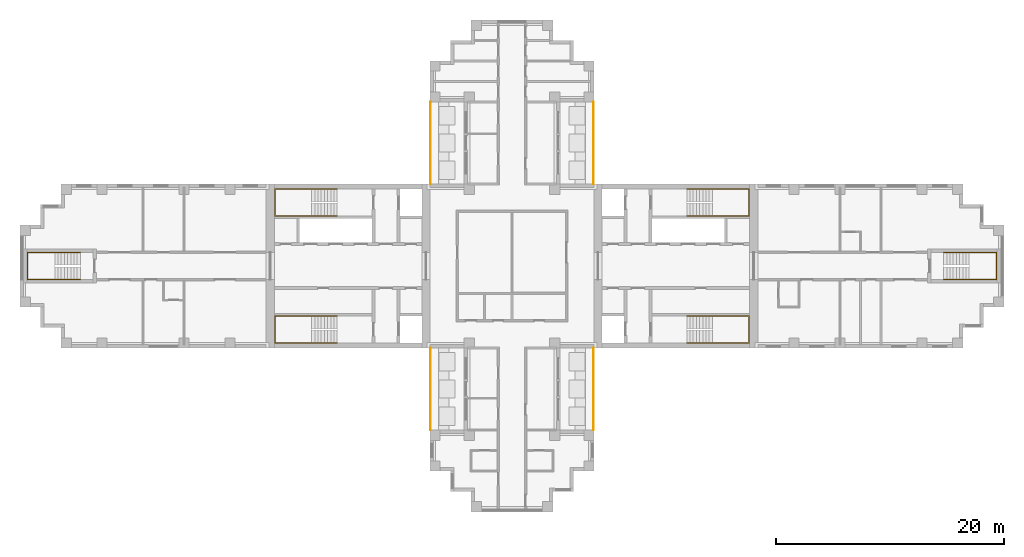
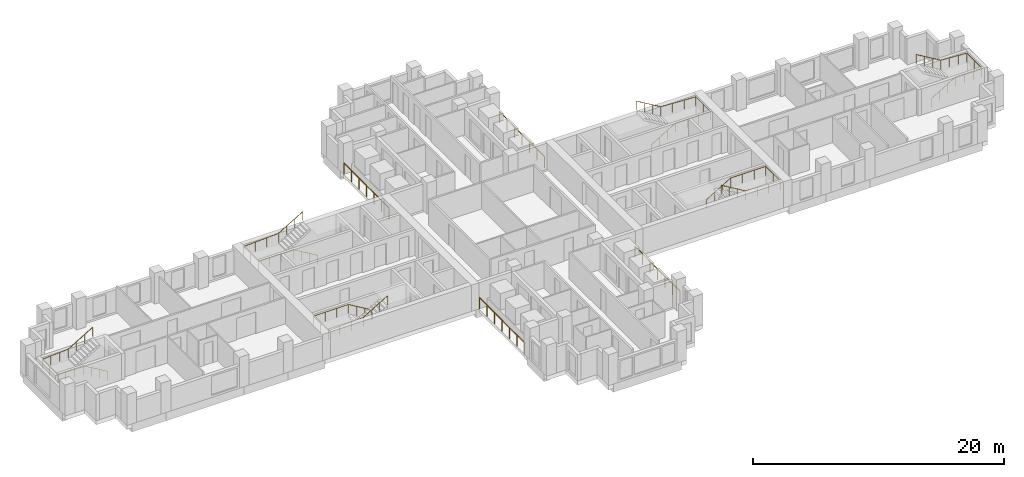
# One storey, part 11 of 12: 10 railings.
"""IFC4 building model written with IfcOpenShell, lengths in metres."""

from ifc_helpers import new_model, si_unit, direction, frame, origin, origin_2d, place, context, subcontext, project, spatial, circle, extrude, material, type_object, element, save


model = new_model("IFC4")

# Units and contexts
model_context = context("Model", 3, precision=1e-05, world=origin(), true_north=direction((0.0, 1.0)))
body_context = subcontext(model_context, "Body", "Model", "MODEL_VIEW")
ifc_project = project(units=[si_unit("LENGTHUNIT", "METRE"), si_unit("AREAUNIT", "SQUARE_METRE"), si_unit("VOLUMEUNIT", "CUBIC_METRE"), si_unit("PLANEANGLEUNIT", "RADIAN"), si_unit("MASSUNIT", "GRAM", prefix="KILO")], contexts=[model_context])

# Site, building, storey
site_placement = place(None, origin())
site = spatial("IfcSite", under=ifc_project, at=site_placement, CompositionType="ELEMENT")
building_placement = place(site_placement, origin())
building = spatial("IfcBuilding", under=site, at=building_placement, Name="Fustian Cross Tower", CompositionType="ELEMENT")
storey_placement = place(building_placement, frame((0.0, 0.0, 159.300048828125)))
storey = spatial("IfcBuildingStorey", under=building, at=storey_placement, Name="L50", CompositionType="ELEMENT", Elevation=159.300048828125)

# Railings
ifc_material_1 = material(Name="Stainless steel and glass", Category="steel")
railing_type_1 = type_object("IfcRailingType", Name="GR1 BALCONY GUARD 1100", PredefinedType="GUARDRAIL", material=ifc_material_1)
for number, where, name in (
    (1, (7.14990234375, 7.199951171875, 0.0), "Balcony guard"),
    (2, (-7.14990234375, 7.199951171875, 0.0), "Balcony guard"),
    (3, (7.14990234375, -14.39990234375, 0.0), "Balcony guard"),
    (4, (-7.14990234375, -14.39990234375, 0.0), "Balcony guard"),
):
    element("IfcRailing", number, at=place(storey_placement, frame(where)), inside=storey, type_object=railing_type_1, Name=name, PredefinedType="GUARDRAIL", context=body_context, shape_type="SweptSolid", body=[
        extrude(circle(Radius=0.02392578125, at=origin_2d()), frame((0.0, 0.0, 1.076171875), z_axis=(0.0, 1.0, 0.0), x_axis=(-1.0, 0.0, 0.0)), (0.0, 0.0, 1.0), 7.199951171875),
        extrude(circle(Radius=0.02099609375, at=origin_2d()), origin(), (0.0, 0.0, 1.0), 1.052001953125),
        extrude(circle(Radius=0.02099609375, at=origin_2d()), frame((0.0, 1.199951171875, 0.0)), (0.0, 0.0, 1.0), 1.052001953125),
        extrude(circle(Radius=0.02099609375, at=origin_2d()), frame((0.0, 2.39990234375, 0.0)), (0.0, 0.0, 1.0), 1.052001953125),
        extrude(circle(Radius=0.02099609375, at=origin_2d()), frame((0.0, 3.60009765625, 0.0)), (0.0, 0.0, 1.0), 1.052001953125),
        extrude(circle(Radius=0.02099609375, at=origin_2d()), frame((0.0, 4.800048828125, 0.0)), (0.0, 0.0, 1.0), 1.052001953125),
        extrude(circle(Radius=0.02099609375, at=origin_2d()), frame((0.0, 6.0, 0.0)), (0.0, 0.0, 1.0), 1.052001953125),
        extrude(circle(Radius=0.02099609375, at=origin_2d()), frame((0.0, 7.199951171875, 0.0)), (0.0, 0.0, 1.0), 1.052001953125),
    ])
ifc_material_2 = material(Name="Stainless steel", Category="steel")
railing_type_2 = type_object("IfcRailingType", Name="STAIR HANDRAIL", PredefinedType="HANDRAIL", material=ifc_material_2)
railing_1_placement = place(storey_placement, frame((15.35009765625, 4.39990234375, 0.16650390625)))
element("IfcRailing", 5, at=railing_1_placement, inside=storey, type_object=railing_type_2, Name="Stair ST1 handrail 1", PredefinedType="HANDRAIL", context=body_context, shape_type="SweptSolid", body=[
    extrude(circle(Radius=0.02490234375, at=origin_2d()), frame((0.0, 0.0, 0.875), z_axis=(0.859264461869, 0.0, 0.511531606619), x_axis=(0.0, 1.0, 0.0)), (0.0, 0.0, 1.0), 2.60693359375),
    extrude(circle(Radius=0.02490234375, at=origin_2d()), frame((2.239990234375, 0.0, 2.20849609375), z_axis=(1.0, 0.0, 0.0), x_axis=(0.0, 1.0, 0.0)), (0.0, 0.0, 1.0), 3.219970703125),
    extrude(circle(Radius=0.02490234375, at=origin_2d()), frame((5.4599609375, 0.0, 2.20849609375), z_axis=(0.0, 1.0, 0.0), x_axis=(-1.0, 0.0, 0.0)), (0.0, 0.0, 1.0), 2.35009765625),
    extrude(circle(Radius=0.02490234375, at=origin_2d()), frame((5.4599609375, 2.35009765625, 2.20849609375), z_axis=(-0.998665725648, 0.0, 0.051640763128), x_axis=(0.0, -1.0, 0.0)), (0.0, 0.0, 1.0), 3.224365234375),
    extrude(circle(Radius=0.02490234375, at=origin_2d()), frame((2.239990234375, 2.35009765625, 2.375), z_axis=(-0.859264461869, 0.0, 0.511531606619), x_axis=(0.0, -1.0, 0.0)), (0.0, 0.0, 1.0), 2.60693359375),
    extrude(circle(Radius=0.02001953125, at=origin_2d()), origin(), (0.0, 0.0, 1.0), 0.849853515625),
    extrude(circle(Radius=0.02001953125, at=origin_2d()), frame((0.74658203125, 0.0, 0.444580078125)), (0.0, 0.0, 1.0), 0.849853515625),
    extrude(circle(Radius=0.02001953125, at=origin_2d()), frame((1.493408203125, 0.0, 0.888916015625)), (0.0, 0.0, 1.0), 0.849853515625),
    extrude(circle(Radius=0.02001953125, at=origin_2d()), frame((2.239990234375, 0.0, 1.33349609375)), (0.0, 0.0, 1.0), 0.849853515625),
    extrude(circle(Radius=0.02001953125, at=origin_2d()), frame((3.313232421875, 0.0, 1.33349609375)), (0.0, 0.0, 1.0), 0.849853515625),
    extrude(circle(Radius=0.02001953125, at=origin_2d()), frame((4.38671875, 0.0, 1.33349609375)), (0.0, 0.0, 1.0), 0.849853515625),
    extrude(circle(Radius=0.02001953125, at=origin_2d()), frame((5.4599609375, 0.0, 1.33349609375)), (0.0, 0.0, 1.0), 0.849853515625),
    extrude(circle(Radius=0.02001953125, at=origin_2d()), frame((5.4599609375, 1.175048828125, 1.33349609375)), (0.0, 0.0, 1.0), 0.849853515625),
    extrude(circle(Radius=0.02001953125, at=origin_2d()), frame((5.4599609375, 2.35009765625, 1.33349609375)), (0.0, 0.0, 1.0), 0.849853515625),
    extrude(circle(Radius=0.02001953125, at=origin_2d()), frame((4.38671875, 2.35009765625, 1.388916015625)), (0.0, 0.0, 1.0), 0.849853515625),
    extrude(circle(Radius=0.02001953125, at=origin_2d()), frame((3.313232421875, 2.35009765625, 1.444580078125)), (0.0, 0.0, 1.0), 0.849853515625),
    extrude(circle(Radius=0.02001953125, at=origin_2d()), frame((2.239990234375, 2.35009765625, 1.5)), (0.0, 0.0, 1.0), 0.849853515625),
    extrude(circle(Radius=0.02001953125, at=origin_2d()), frame((1.493408203125, 2.35009765625, 1.944580078125)), (0.0, 0.0, 1.0), 0.849853515625),
    extrude(circle(Radius=0.02001953125, at=origin_2d()), frame((0.74658203125, 2.35009765625, 2.388916015625)), (0.0, 0.0, 1.0), 0.849853515625),
    extrude(circle(Radius=0.02001953125, at=origin_2d()), frame((0.0, 2.35009765625, 2.83349609375)), (0.0, 0.0, 1.0), 0.849853515625),
])
railing_2_placement = place(storey_placement, frame((15.35009765625, -4.39990234375, 0.16650390625)))
element("IfcRailing", 6, at=railing_2_placement, inside=storey, type_object=railing_type_2, Name="Stair ST2 handrail 1", PredefinedType="HANDRAIL", context=body_context, shape_type="SweptSolid", body=[
    extrude(circle(Radius=0.02490234375, at=origin_2d()), frame((0.0, 0.0, 0.875), z_axis=(0.859264461869, 0.0, 0.511531606619), x_axis=(0.0, 1.0, 0.0)), (0.0, 0.0, 1.0), 2.60693359375),
    extrude(circle(Radius=0.02490234375, at=origin_2d()), frame((2.239990234375, 0.0, 2.20849609375), z_axis=(1.0, 0.0, 0.0), x_axis=(0.0, 1.0, 0.0)), (0.0, 0.0, 1.0), 3.219970703125),
    extrude(circle(Radius=0.02490234375, at=origin_2d()), frame((5.4599609375, 0.0, 2.20849609375), z_axis=(0.0, -1.0, 0.0), x_axis=(1.0, 0.0, 0.0)), (0.0, 0.0, 1.0), 2.35009765625),
    extrude(circle(Radius=0.02490234375, at=origin_2d()), frame((5.4599609375, -2.35009765625, 2.20849609375), z_axis=(-0.998665725648, 0.0, 0.051640763128), x_axis=(0.0, -1.0, 0.0)), (0.0, 0.0, 1.0), 3.224365234375),
    extrude(circle(Radius=0.02490234375, at=origin_2d()), frame((2.239990234375, -2.35009765625, 2.375), z_axis=(-0.859264461869, 0.0, 0.511531606619), x_axis=(0.0, -1.0, 0.0)), (0.0, 0.0, 1.0), 2.60693359375),
    extrude(circle(Radius=0.02001953125, at=origin_2d()), origin(), (0.0, 0.0, 1.0), 0.849853515625),
    extrude(circle(Radius=0.02001953125, at=origin_2d()), frame((0.74658203125, 0.0, 0.444580078125)), (0.0, 0.0, 1.0), 0.849853515625),
    extrude(circle(Radius=0.02001953125, at=origin_2d()), frame((1.493408203125, 0.0, 0.888916015625)), (0.0, 0.0, 1.0), 0.849853515625),
    extrude(circle(Radius=0.02001953125, at=origin_2d()), frame((2.239990234375, 0.0, 1.33349609375)), (0.0, 0.0, 1.0), 0.849853515625),
    extrude(circle(Radius=0.02001953125, at=origin_2d()), frame((3.313232421875, 0.0, 1.33349609375)), (0.0, 0.0, 1.0), 0.849853515625),
    extrude(circle(Radius=0.02001953125, at=origin_2d()), frame((4.38671875, 0.0, 1.33349609375)), (0.0, 0.0, 1.0), 0.849853515625),
    extrude(circle(Radius=0.02001953125, at=origin_2d()), frame((5.4599609375, 0.0, 1.33349609375)), (0.0, 0.0, 1.0), 0.849853515625),
    extrude(circle(Radius=0.02001953125, at=origin_2d()), frame((5.4599609375, -1.175048828125, 1.33349609375)), (0.0, 0.0, 1.0), 0.849853515625),
    extrude(circle(Radius=0.02001953125, at=origin_2d()), frame((5.4599609375, -2.35009765625, 1.33349609375)), (0.0, 0.0, 1.0), 0.849853515625),
    extrude(circle(Radius=0.02001953125, at=origin_2d()), frame((4.38671875, -2.35009765625, 1.388916015625)), (0.0, 0.0, 1.0), 0.849853515625),
    extrude(circle(Radius=0.02001953125, at=origin_2d()), frame((3.313232421875, -2.35009765625, 1.444580078125)), (0.0, 0.0, 1.0), 0.849853515625),
    extrude(circle(Radius=0.02001953125, at=origin_2d()), frame((2.239990234375, -2.35009765625, 1.5)), (0.0, 0.0, 1.0), 0.849853515625),
    extrude(circle(Radius=0.02001953125, at=origin_2d()), frame((1.493408203125, -2.35009765625, 1.944580078125)), (0.0, 0.0, 1.0), 0.849853515625),
    extrude(circle(Radius=0.02001953125, at=origin_2d()), frame((0.74658203125, -2.35009765625, 2.388916015625)), (0.0, 0.0, 1.0), 0.849853515625),
    extrude(circle(Radius=0.02001953125, at=origin_2d()), frame((0.0, -2.35009765625, 2.83349609375)), (0.0, 0.0, 1.0), 0.849853515625),
])
railing_3_placement = place(storey_placement, frame((-15.35009765625, 4.39990234375, 0.16650390625)))
element("IfcRailing", 7, at=railing_3_placement, inside=storey, type_object=railing_type_2, Name="Stair ST3 handrail 1", PredefinedType="HANDRAIL", context=body_context, shape_type="SweptSolid", body=[
    extrude(circle(Radius=0.02490234375, at=origin_2d()), frame((0.0, 0.0, 0.875), z_axis=(-0.859264461869, 0.0, 0.511531606619), x_axis=(0.0, -1.0, 0.0)), (0.0, 0.0, 1.0), 2.60693359375),
    extrude(circle(Radius=0.02490234375, at=origin_2d()), frame((-2.239990234375, 0.0, 2.20849609375), z_axis=(-1.0, 0.0, 0.0), x_axis=(0.0, -1.0, 0.0)), (0.0, 0.0, 1.0), 3.219970703125),
    extrude(circle(Radius=0.02490234375, at=origin_2d()), frame((-5.4599609375, 0.0, 2.20849609375), z_axis=(0.0, 1.0, 0.0), x_axis=(-1.0, 0.0, 0.0)), (0.0, 0.0, 1.0), 2.35009765625),
    extrude(circle(Radius=0.02490234375, at=origin_2d()), frame((-5.4599609375, 2.35009765625, 2.20849609375), z_axis=(0.998665725648, 0.0, 0.051640763128), x_axis=(0.0, 1.0, 0.0)), (0.0, 0.0, 1.0), 3.224365234375),
    extrude(circle(Radius=0.02490234375, at=origin_2d()), frame((-2.239990234375, 2.35009765625, 2.375), z_axis=(0.859264461869, 0.0, 0.511531606619), x_axis=(0.0, 1.0, 0.0)), (0.0, 0.0, 1.0), 2.60693359375),
    extrude(circle(Radius=0.02001953125, at=origin_2d()), origin(), (0.0, 0.0, 1.0), 0.849853515625),
    extrude(circle(Radius=0.02001953125, at=origin_2d()), frame((-0.74658203125, 0.0, 0.444580078125)), (0.0, 0.0, 1.0), 0.849853515625),
    extrude(circle(Radius=0.02001953125, at=origin_2d()), frame((-1.493408203125, 0.0, 0.888916015625)), (0.0, 0.0, 1.0), 0.849853515625),
    extrude(circle(Radius=0.02001953125, at=origin_2d()), frame((-2.239990234375, 0.0, 1.33349609375)), (0.0, 0.0, 1.0), 0.849853515625),
    extrude(circle(Radius=0.02001953125, at=origin_2d()), frame((-3.313232421875, 0.0, 1.33349609375)), (0.0, 0.0, 1.0), 0.849853515625),
    extrude(circle(Radius=0.02001953125, at=origin_2d()), frame((-4.38671875, 0.0, 1.33349609375)), (0.0, 0.0, 1.0), 0.849853515625),
    extrude(circle(Radius=0.02001953125, at=origin_2d()), frame((-5.4599609375, 0.0, 1.33349609375)), (0.0, 0.0, 1.0), 0.849853515625),
    extrude(circle(Radius=0.02001953125, at=origin_2d()), frame((-5.4599609375, 1.175048828125, 1.33349609375)), (0.0, 0.0, 1.0), 0.849853515625),
    extrude(circle(Radius=0.02001953125, at=origin_2d()), frame((-5.4599609375, 2.35009765625, 1.33349609375)), (0.0, 0.0, 1.0), 0.849853515625),
    extrude(circle(Radius=0.02001953125, at=origin_2d()), frame((-4.38671875, 2.35009765625, 1.388916015625)), (0.0, 0.0, 1.0), 0.849853515625),
    extrude(circle(Radius=0.02001953125, at=origin_2d()), frame((-3.313232421875, 2.35009765625, 1.444580078125)), (0.0, 0.0, 1.0), 0.849853515625),
    extrude(circle(Radius=0.02001953125, at=origin_2d()), frame((-2.239990234375, 2.35009765625, 1.5)), (0.0, 0.0, 1.0), 0.849853515625),
    extrude(circle(Radius=0.02001953125, at=origin_2d()), frame((-1.493408203125, 2.35009765625, 1.944580078125)), (0.0, 0.0, 1.0), 0.849853515625),
    extrude(circle(Radius=0.02001953125, at=origin_2d()), frame((-0.74658203125, 2.35009765625, 2.388916015625)), (0.0, 0.0, 1.0), 0.849853515625),
    extrude(circle(Radius=0.02001953125, at=origin_2d()), frame((0.0, 2.35009765625, 2.83349609375)), (0.0, 0.0, 1.0), 0.849853515625),
])
railing_4_placement = place(storey_placement, frame((-15.35009765625, -4.39990234375, 0.16650390625)))
element("IfcRailing", 8, at=railing_4_placement, inside=storey, type_object=railing_type_2, Name="Stair ST4 handrail 1", PredefinedType="HANDRAIL", context=body_context, shape_type="SweptSolid", body=[
    extrude(circle(Radius=0.02490234375, at=origin_2d()), frame((0.0, 0.0, 0.875), z_axis=(-0.859264461869, 0.0, 0.511531606619), x_axis=(0.0, -1.0, 0.0)), (0.0, 0.0, 1.0), 2.60693359375),
    extrude(circle(Radius=0.02490234375, at=origin_2d()), frame((-2.239990234375, 0.0, 2.20849609375), z_axis=(-1.0, 0.0, 0.0), x_axis=(0.0, -1.0, 0.0)), (0.0, 0.0, 1.0), 3.219970703125),
    extrude(circle(Radius=0.02490234375, at=origin_2d()), frame((-5.4599609375, 0.0, 2.20849609375), z_axis=(0.0, -1.0, 0.0), x_axis=(1.0, 0.0, 0.0)), (0.0, 0.0, 1.0), 2.35009765625),
    extrude(circle(Radius=0.02490234375, at=origin_2d()), frame((-5.4599609375, -2.35009765625, 2.20849609375), z_axis=(0.998665725648, 0.0, 0.051640763128), x_axis=(0.0, 1.0, 0.0)), (0.0, 0.0, 1.0), 3.224365234375),
    extrude(circle(Radius=0.02490234375, at=origin_2d()), frame((-2.239990234375, -2.35009765625, 2.375), z_axis=(0.859264461869, 0.0, 0.511531606619), x_axis=(0.0, 1.0, 0.0)), (0.0, 0.0, 1.0), 2.60693359375),
    extrude(circle(Radius=0.02001953125, at=origin_2d()), origin(), (0.0, 0.0, 1.0), 0.849853515625),
    extrude(circle(Radius=0.02001953125, at=origin_2d()), frame((-0.74658203125, 0.0, 0.444580078125)), (0.0, 0.0, 1.0), 0.849853515625),
    extrude(circle(Radius=0.02001953125, at=origin_2d()), frame((-1.493408203125, 0.0, 0.888916015625)), (0.0, 0.0, 1.0), 0.849853515625),
    extrude(circle(Radius=0.02001953125, at=origin_2d()), frame((-2.239990234375, 0.0, 1.33349609375)), (0.0, 0.0, 1.0), 0.849853515625),
    extrude(circle(Radius=0.02001953125, at=origin_2d()), frame((-3.313232421875, 0.0, 1.33349609375)), (0.0, 0.0, 1.0), 0.849853515625),
    extrude(circle(Radius=0.02001953125, at=origin_2d()), frame((-4.38671875, 0.0, 1.33349609375)), (0.0, 0.0, 1.0), 0.849853515625),
    extrude(circle(Radius=0.02001953125, at=origin_2d()), frame((-5.4599609375, 0.0, 1.33349609375)), (0.0, 0.0, 1.0), 0.849853515625),
    extrude(circle(Radius=0.02001953125, at=origin_2d()), frame((-5.4599609375, -1.175048828125, 1.33349609375)), (0.0, 0.0, 1.0), 0.849853515625),
    extrude(circle(Radius=0.02001953125, at=origin_2d()), frame((-5.4599609375, -2.35009765625, 1.33349609375)), (0.0, 0.0, 1.0), 0.849853515625),
    extrude(circle(Radius=0.02001953125, at=origin_2d()), frame((-4.38671875, -2.35009765625, 1.388916015625)), (0.0, 0.0, 1.0), 0.849853515625),
    extrude(circle(Radius=0.02001953125, at=origin_2d()), frame((-3.313232421875, -2.35009765625, 1.444580078125)), (0.0, 0.0, 1.0), 0.849853515625),
    extrude(circle(Radius=0.02001953125, at=origin_2d()), frame((-2.239990234375, -2.35009765625, 1.5)), (0.0, 0.0, 1.0), 0.849853515625),
    extrude(circle(Radius=0.02001953125, at=origin_2d()), frame((-1.493408203125, -2.35009765625, 1.944580078125)), (0.0, 0.0, 1.0), 0.849853515625),
    extrude(circle(Radius=0.02001953125, at=origin_2d()), frame((-0.74658203125, -2.35009765625, 2.388916015625)), (0.0, 0.0, 1.0), 0.849853515625),
    extrude(circle(Radius=0.02001953125, at=origin_2d()), frame((0.0, -2.35009765625, 2.83349609375)), (0.0, 0.0, 1.0), 0.849853515625),
])
railing_5_placement = place(storey_placement, frame((37.89990234375, -1.199951171875, 0.16650390625)))
element("IfcRailing", 9, at=railing_5_placement, inside=storey, type_object=railing_type_2, Name="Stair ST8 handrail 1", PredefinedType="HANDRAIL", context=body_context, shape_type="SweptSolid", body=[
    extrude(circle(Radius=0.02490234375, at=origin_2d()), frame((0.0, 0.0, 0.875), z_axis=(0.859264461869, 0.0, 0.511531606619), x_axis=(0.0, 1.0, 0.0)), (0.0, 0.0, 1.0), 2.60693359375),
    extrude(circle(Radius=0.02490234375, at=origin_2d()), frame((2.239990234375, 0.0, 2.20849609375), z_axis=(1.0, 0.0, 0.0), x_axis=(0.0, 1.0, 0.0)), (0.0, 0.0, 1.0), 2.420166015625),
    extrude(circle(Radius=0.02490234375, at=origin_2d()), frame((4.66015625, 0.0, 2.20849609375), z_axis=(0.0, 1.0, 0.0), x_axis=(-1.0, 0.0, 0.0)), (0.0, 0.0, 1.0), 2.39990234375),
    extrude(circle(Radius=0.02490234375, at=origin_2d()), frame((4.66015625, 2.39990234375, 2.20849609375), z_axis=(-0.997641748275, 0.0, 0.068636303069), x_axis=(0.0, -1.0, 0.0)), (0.0, 0.0, 1.0), 2.42578125),
    extrude(circle(Radius=0.02490234375, at=origin_2d()), frame((2.239990234375, 2.39990234375, 2.375), z_axis=(-0.859264461869, 0.0, 0.511531606619), x_axis=(0.0, -1.0, 0.0)), (0.0, 0.0, 1.0), 2.60693359375),
    extrude(circle(Radius=0.02001953125, at=origin_2d()), origin(), (0.0, 0.0, 1.0), 0.849853515625),
    extrude(circle(Radius=0.02001953125, at=origin_2d()), frame((0.74658203125, 0.0, 0.444580078125)), (0.0, 0.0, 1.0), 0.849853515625),
    extrude(circle(Radius=0.02001953125, at=origin_2d()), frame((1.493408203125, 0.0, 0.888916015625)), (0.0, 0.0, 1.0), 0.849853515625),
    extrude(circle(Radius=0.02001953125, at=origin_2d()), frame((2.239990234375, 0.0, 1.33349609375)), (0.0, 0.0, 1.0), 0.849853515625),
    extrude(circle(Radius=0.02001953125, at=origin_2d()), frame((3.046630859375, 0.0, 1.33349609375)), (0.0, 0.0, 1.0), 0.849853515625),
    extrude(circle(Radius=0.02001953125, at=origin_2d()), frame((3.853515625, 0.0, 1.33349609375)), (0.0, 0.0, 1.0), 0.849853515625),
    extrude(circle(Radius=0.02001953125, at=origin_2d()), frame((4.66015625, 0.0, 1.33349609375)), (0.0, 0.0, 1.0), 0.849853515625),
    extrude(circle(Radius=0.02001953125, at=origin_2d()), frame((4.66015625, 1.199951171875, 1.33349609375)), (0.0, 0.0, 1.0), 0.849853515625),
    extrude(circle(Radius=0.02001953125, at=origin_2d()), frame((4.66015625, 2.39990234375, 1.33349609375)), (0.0, 0.0, 1.0), 0.849853515625),
    extrude(circle(Radius=0.02001953125, at=origin_2d()), frame((3.853515625, 2.39990234375, 1.388916015625)), (0.0, 0.0, 1.0), 0.849853515625),
    extrude(circle(Radius=0.02001953125, at=origin_2d()), frame((3.046630859375, 2.39990234375, 1.444580078125)), (0.0, 0.0, 1.0), 0.849853515625),
    extrude(circle(Radius=0.02001953125, at=origin_2d()), frame((2.239990234375, 2.39990234375, 1.5)), (0.0, 0.0, 1.0), 0.849853515625),
    extrude(circle(Radius=0.02001953125, at=origin_2d()), frame((1.493408203125, 2.39990234375, 1.944580078125)), (0.0, 0.0, 1.0), 0.849853515625),
    extrude(circle(Radius=0.02001953125, at=origin_2d()), frame((0.74658203125, 2.39990234375, 2.388916015625)), (0.0, 0.0, 1.0), 0.849853515625),
    extrude(circle(Radius=0.02001953125, at=origin_2d()), frame((0.0, 2.39990234375, 2.83349609375)), (0.0, 0.0, 1.0), 0.849853515625),
])
railing_6_placement = place(storey_placement, frame((-37.89990234375, -1.199951171875, 0.16650390625)))
element("IfcRailing", 10, at=railing_6_placement, inside=storey, type_object=railing_type_2, Name="Stair ST9 handrail 1", PredefinedType="HANDRAIL", context=body_context, shape_type="SweptSolid", body=[
    extrude(circle(Radius=0.02490234375, at=origin_2d()), frame((0.0, 0.0, 0.875), z_axis=(-0.859264461869, 0.0, 0.511531606619), x_axis=(0.0, -1.0, 0.0)), (0.0, 0.0, 1.0), 2.60693359375),
    extrude(circle(Radius=0.02490234375, at=origin_2d()), frame((-2.239990234375, 0.0, 2.20849609375), z_axis=(-1.0, 0.0, 0.0), x_axis=(0.0, -1.0, 0.0)), (0.0, 0.0, 1.0), 2.420166015625),
    extrude(circle(Radius=0.02490234375, at=origin_2d()), frame((-4.66015625, 0.0, 2.20849609375), z_axis=(0.0, 1.0, 0.0), x_axis=(-1.0, 0.0, 0.0)), (0.0, 0.0, 1.0), 2.39990234375),
    extrude(circle(Radius=0.02490234375, at=origin_2d()), frame((-4.66015625, 2.39990234375, 2.20849609375), z_axis=(0.997641748275, 0.0, 0.068636303069), x_axis=(0.0, 1.0, 0.0)), (0.0, 0.0, 1.0), 2.42578125),
    extrude(circle(Radius=0.02490234375, at=origin_2d()), frame((-2.239990234375, 2.39990234375, 2.375), z_axis=(0.859264461869, 0.0, 0.511531606619), x_axis=(0.0, 1.0, 0.0)), (0.0, 0.0, 1.0), 2.60693359375),
    extrude(circle(Radius=0.02001953125, at=origin_2d()), origin(), (0.0, 0.0, 1.0), 0.849853515625),
    extrude(circle(Radius=0.02001953125, at=origin_2d()), frame((-0.74658203125, 0.0, 0.444580078125)), (0.0, 0.0, 1.0), 0.849853515625),
    extrude(circle(Radius=0.02001953125, at=origin_2d()), frame((-1.493408203125, 0.0, 0.888916015625)), (0.0, 0.0, 1.0), 0.849853515625),
    extrude(circle(Radius=0.02001953125, at=origin_2d()), frame((-2.239990234375, 0.0, 1.33349609375)), (0.0, 0.0, 1.0), 0.849853515625),
    extrude(circle(Radius=0.02001953125, at=origin_2d()), frame((-3.046630859375, 0.0, 1.33349609375)), (0.0, 0.0, 1.0), 0.849853515625),
    extrude(circle(Radius=0.02001953125, at=origin_2d()), frame((-3.853515625, 0.0, 1.33349609375)), (0.0, 0.0, 1.0), 0.849853515625),
    extrude(circle(Radius=0.02001953125, at=origin_2d()), frame((-4.66015625, 0.0, 1.33349609375)), (0.0, 0.0, 1.0), 0.849853515625),
    extrude(circle(Radius=0.02001953125, at=origin_2d()), frame((-4.66015625, 1.199951171875, 1.33349609375)), (0.0, 0.0, 1.0), 0.849853515625),
    extrude(circle(Radius=0.02001953125, at=origin_2d()), frame((-4.66015625, 2.39990234375, 1.33349609375)), (0.0, 0.0, 1.0), 0.849853515625),
    extrude(circle(Radius=0.02001953125, at=origin_2d()), frame((-3.853515625, 2.39990234375, 1.388916015625)), (0.0, 0.0, 1.0), 0.849853515625),
    extrude(circle(Radius=0.02001953125, at=origin_2d()), frame((-3.046630859375, 2.39990234375, 1.444580078125)), (0.0, 0.0, 1.0), 0.849853515625),
    extrude(circle(Radius=0.02001953125, at=origin_2d()), frame((-2.239990234375, 2.39990234375, 1.5)), (0.0, 0.0, 1.0), 0.849853515625),
    extrude(circle(Radius=0.02001953125, at=origin_2d()), frame((-1.493408203125, 2.39990234375, 1.944580078125)), (0.0, 0.0, 1.0), 0.849853515625),
    extrude(circle(Radius=0.02001953125, at=origin_2d()), frame((-0.74658203125, 2.39990234375, 2.388916015625)), (0.0, 0.0, 1.0), 0.849853515625),
    extrude(circle(Radius=0.02001953125, at=origin_2d()), frame((0.0, 2.39990234375, 2.83349609375)), (0.0, 0.0, 1.0), 0.849853515625),
])

save(model, "model.ifc")
